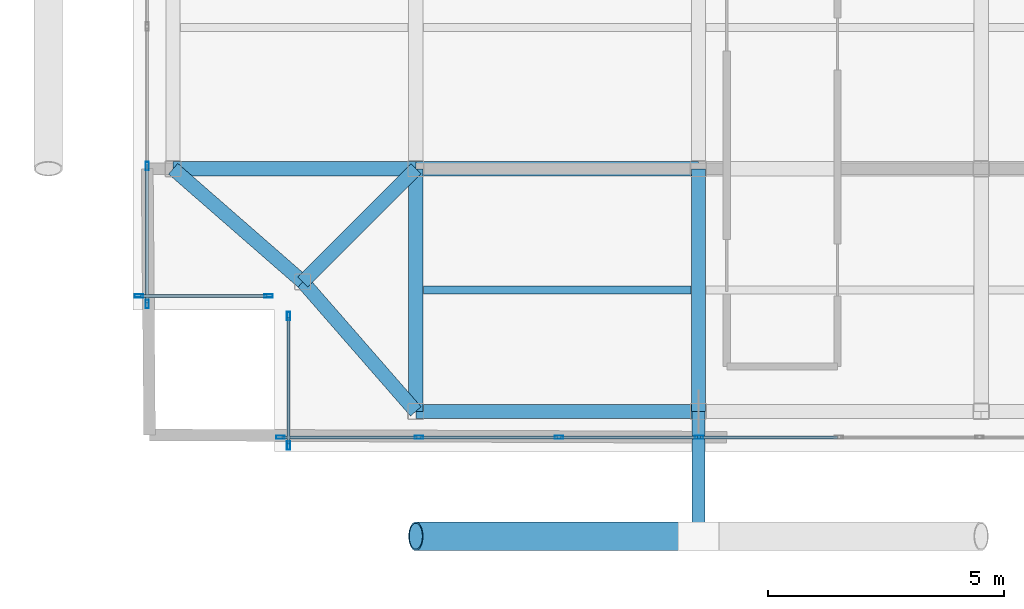
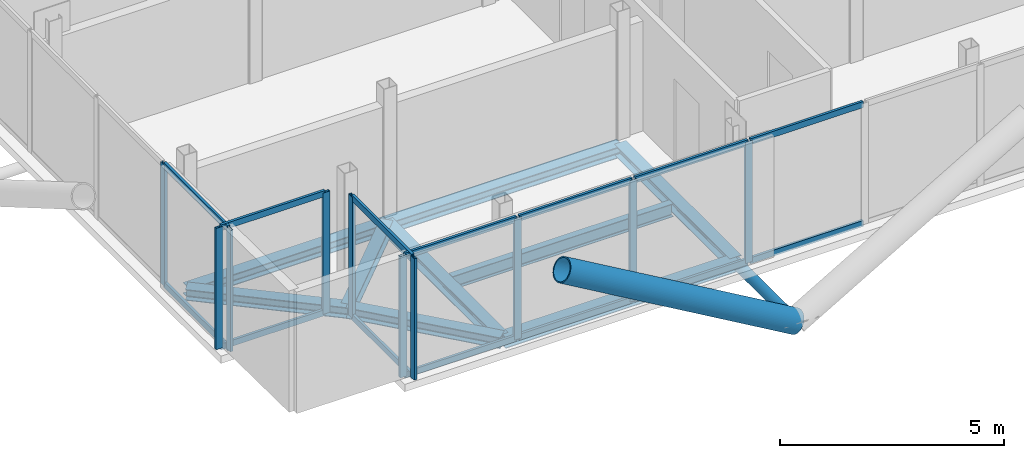
# One storey, part 2 of 18: 26 members, 9 beams, 4 elements without a shape of their own.
"""IFC4 building model written with IfcOpenShell, lengths in metres."""

from ifc_helpers import new_model, si_unit, direction, frame, origin, origin_2d, place, context, subcontext, project, spatial, hollow_rectangle, hollow_circle, i_section, extrude, material, layer, layer_set, material_profile, profile_set, type_object, element, aggregate, save


model = new_model("IFC4")

# Units and contexts
model_context = context("Model", 3, precision=1e-05, world=origin(), true_north=direction((0.0, 1.0)))
body_context = subcontext(model_context, "Body", "Model", "MODEL_VIEW")
ifc_project = project(units=[si_unit("LENGTHUNIT", "METRE"), si_unit("AREAUNIT", "SQUARE_METRE"), si_unit("VOLUMEUNIT", "CUBIC_METRE"), si_unit("PLANEANGLEUNIT", "RADIAN"), si_unit("MASSUNIT", "GRAM", prefix="KILO"), si_unit("THERMODYNAMICTEMPERATUREUNIT", "KELVIN"), si_unit("POWERUNIT", "WATT")], contexts=[model_context])

# Site, building, storey
site_placement = place(None, origin())
site = spatial("IfcSite", under=ifc_project, at=site_placement, CompositionType="ELEMENT")
building_placement = place(site_placement, origin())
building = spatial("IfcBuilding", under=site, at=building_placement, Name="Svarakhadi Broadcast Tower", CompositionType="ELEMENT")
storey_placement = place(building_placement, frame((0.0, 0.0, 288.699951171875)))
storey = spatial("IfcBuildingStorey", under=building, at=storey_placement, Name="L73", CompositionType="ELEMENT", Elevation=288.699951171875)

# Beam
ifc_material_1 = material(Name="Steel S355J2 (IS 2062 E350C)", Category="steel")
ifc_material_profile_1 = material_profile(ifc_material_1, i_section(OverallWidth=0.169921875, OverallDepth=0.360107421875, WebThickness=0.008056640625, FlangeThickness=0.0126953125, FilletRadius=0.01806640625, at=origin_2d()), Name="NPB 360x170x57")
ifc_profile_set_1 = profile_set([ifc_material_profile_1], Name="Steel S355J2 (IS 2062 E350C)")
beam_type_1 = type_object("IfcBeamType", Name="Beam_NPB360", PredefinedType="BEAM", material=ifc_profile_set_1)
beam_1_placement = place(storey_placement, frame((6.159912109375, 3.425048828125, -0.3798828125), z_axis=(1.0, 0.0, 0.0), x_axis=(0.0, 1.0, 0.0)))
element("IfcBeam", 1, at=beam_1_placement, inside=storey, type_object=beam_type_1, Name="L73 Secondary Composite Beam SB004", PredefinedType="BEAM", context=body_context, shape_type="SweptSolid", body=[
    extrude(i_section(OverallWidth=0.169921875, OverallDepth=0.360107421875, WebThickness=0.008056640625, FlangeThickness=0.0126953125, FilletRadius=0.01806640625, at=origin_2d()), origin(), (0.0, 0.0, 1.0), 5.68017578125),
])

# Curtain wall, members
ifc_material_2 = material(Name="Anodised Bronze Aluminium AA 6063-T6", Category="aluminium")
ifc_layer = layer(ifc_material_2, 0.179931640625)
ifc_layer_set = layer_set([ifc_layer], Name="Anodised Bronze Aluminium AA 6063-T6")
curtain_wall_type = type_object("IfcCurtainWallType", Name="CW_Sys_05", PredefinedType="NOTDEFINED", material=ifc_layer_set)
curtain_wall_1_placement = place(storey_placement, origin())
curtain_wall_1 = element("IfcCurtainWall", 2, at=curtain_wall_1_placement, inside=storey, type_object=curtain_wall_type, Name="L73 Unitised Facade Curtain Wall 01", PredefinedType="NOTDEFINED")
ifc_material_profile_2 = material_profile(ifc_material_2, hollow_rectangle(XDim=0.070068359375, YDim=0.179931640625, WallThickness=0.005615234375, at=origin_2d()), Name="ALU MULLION 180x70x6")
ifc_profile_set_2 = profile_set([ifc_material_profile_2], Name="Anodised Bronze Aluminium AA 6063-T6")
member_type_1 = type_object("IfcMemberType", Name="CW_Sys_05_Mul", PredefinedType="MULLION", material=ifc_profile_set_2)
member_1_placement = place(storey_placement, frame((2.875, 3.300048828125, 0.0), z_axis=(0.0, 0.0, 1.0), x_axis=(0.0, -1.0, 0.0)))
member_1 = element("IfcMember", 3, at=member_1_placement, type_object=member_type_1, Name="CW-05 mullion 1", PredefinedType="MULLION", context=body_context, shape_type="SweptSolid", body=[
    extrude(hollow_rectangle(XDim=0.070068359375, YDim=0.179931640625, WallThickness=0.005615234375, at=origin_2d()), origin(), (0.0, 0.0, 1.0), 3.300048828125),
])
member_2_placement = place(storey_placement, frame((0.125, 3.300048828125, 0.0), z_axis=(0.0, 0.0, 1.0), x_axis=(0.0, -1.0, 0.0)))
member_2 = element("IfcMember", 4, at=member_2_placement, type_object=member_type_1, Name="CW-05 mullion 2", PredefinedType="MULLION", context=body_context, shape_type="SweptSolid", body=[
    extrude(hollow_rectangle(XDim=0.070068359375, YDim=0.179931640625, WallThickness=0.005615234375, at=origin_2d()), origin(), (0.0, 0.0, 1.0), 3.300048828125),
])

curtain_wall_2_placement = place(storey_placement, origin())
curtain_wall_2 = element("IfcCurtainWall", 5, at=curtain_wall_2_placement, inside=storey, type_object=curtain_wall_type, Name="L73 West Curtain Wall 02", PredefinedType="NOTDEFINED")
member_3_placement = place(storey_placement, frame((0.300048828125, 3.125, 0.0), z_axis=(0.0, 0.0, 1.0), x_axis=(-1.0, 0.0, 0.0)))
member_3 = element("IfcMember", 6, at=member_3_placement, type_object=member_type_1, Name="CW-05 mullion 1", PredefinedType="MULLION", context=body_context, shape_type="SweptSolid", body=[
    extrude(hollow_rectangle(XDim=0.070068359375, YDim=0.179931640625, WallThickness=0.005615234375, at=origin_2d()), origin(), (0.0, 0.0, 1.0), 3.300048828125),
])
member_4_placement = place(storey_placement, frame((0.300048828125, 6.053955078125, 0.0), z_axis=(0.0, 0.0, 1.0), x_axis=(-1.0, 0.0, 0.0)))
member_4 = element("IfcMember", 7, at=member_4_placement, type_object=member_type_1, Name="CW-05 mullion 2", PredefinedType="MULLION", context=body_context, shape_type="SweptSolid", body=[
    extrude(hollow_rectangle(XDim=0.070068359375, YDim=0.179931640625, WallThickness=0.005615234375, at=origin_2d()), origin(), (0.0, 0.0, 1.0), 3.300048828125),
])

curtain_wall_3_placement = place(storey_placement, origin())
curtain_wall_3 = element("IfcCurtainWall", 8, at=curtain_wall_3_placement, inside=storey, type_object=curtain_wall_type, Name="L73 South Curtain Wall 15", PredefinedType="NOTDEFINED")
member_5_placement = place(storey_placement, frame((12.012939453125, 0.300048828125, 0.0), z_axis=(0.0, 0.0, 1.0), x_axis=(0.0, -1.0, 0.0)))
member_5 = element("IfcMember", 9, at=member_5_placement, type_object=member_type_1, Name="CW-05 mullion 5", PredefinedType="MULLION", context=body_context, shape_type="SweptSolid", body=[
    extrude(hollow_rectangle(XDim=0.070068359375, YDim=0.179931640625, WallThickness=0.005615234375, at=origin_2d()), origin(), (0.0, 0.0, 1.0), 3.300048828125),
])
member_6_placement = place(storey_placement, frame((9.03857421875, 0.300048828125, 0.0), z_axis=(0.0, 0.0, 1.0), x_axis=(0.0, -1.0, 0.0)))
member_6 = element("IfcMember", 10, at=member_6_placement, type_object=member_type_1, Name="CW-05 mullion 6", PredefinedType="MULLION", context=body_context, shape_type="SweptSolid", body=[
    extrude(hollow_rectangle(XDim=0.070068359375, YDim=0.179931640625, WallThickness=0.005615234375, at=origin_2d()), origin(), (0.0, 0.0, 1.0), 3.300048828125),
])
member_7_placement = place(storey_placement, frame((6.064208984375, 0.300048828125, 0.0), z_axis=(0.0, 0.0, 1.0), x_axis=(0.0, -1.0, 0.0)))
member_7 = element("IfcMember", 11, at=member_7_placement, type_object=member_type_1, Name="CW-05 mullion 7", PredefinedType="MULLION", context=body_context, shape_type="SweptSolid", body=[
    extrude(hollow_rectangle(XDim=0.070068359375, YDim=0.179931640625, WallThickness=0.005615234375, at=origin_2d()), origin(), (0.0, 0.0, 1.0), 3.300048828125),
])
member_8_placement = place(storey_placement, frame((3.125, 0.300048828125, 0.0), z_axis=(0.0, 0.0, 1.0), x_axis=(0.0, -1.0, 0.0)))
member_8 = element("IfcMember", 12, at=member_8_placement, type_object=member_type_1, Name="CW-05 mullion 8", PredefinedType="MULLION", context=body_context, shape_type="SweptSolid", body=[
    extrude(hollow_rectangle(XDim=0.070068359375, YDim=0.179931640625, WallThickness=0.005615234375, at=origin_2d()), origin(), (0.0, 0.0, 1.0), 3.300048828125),
])

curtain_wall_4_placement = place(storey_placement, origin())
curtain_wall_4 = element("IfcCurtainWall", 13, at=curtain_wall_4_placement, inside=storey, type_object=curtain_wall_type, Name="L73 Unitised Facade Curtain Wall 16", PredefinedType="NOTDEFINED")
member_9_placement = place(storey_placement, frame((3.300048828125, 0.125, 0.0), z_axis=(0.0, 0.0, 1.0), x_axis=(-1.0, 0.0, 0.0)))
member_9 = element("IfcMember", 14, at=member_9_placement, type_object=member_type_1, Name="CW-05 mullion 1", PredefinedType="MULLION", context=body_context, shape_type="SweptSolid", body=[
    extrude(hollow_rectangle(XDim=0.070068359375, YDim=0.179931640625, WallThickness=0.005615234375, at=origin_2d()), origin(), (0.0, 0.0, 1.0), 3.300048828125),
])
member_10_placement = place(storey_placement, frame((3.300048828125, 2.875, 0.0), z_axis=(0.0, 0.0, 1.0), x_axis=(-1.0, 0.0, 0.0)))
member_10 = element("IfcMember", 15, at=member_10_placement, type_object=member_type_1, Name="CW-05 mullion 2", PredefinedType="MULLION", context=body_context, shape_type="SweptSolid", body=[
    extrude(hollow_rectangle(XDim=0.070068359375, YDim=0.179931640625, WallThickness=0.005615234375, at=origin_2d()), origin(), (0.0, 0.0, 1.0), 3.300048828125),
])

# Member
ifc_material_profile_3 = material_profile(ifc_material_2, hollow_rectangle(XDim=0.06494140625, YDim=0.1650390625, WallThickness=0.0048828125, at=origin_2d()), Name="ALU TRANSOM 165x65x5")
ifc_profile_set_3 = profile_set([ifc_material_profile_3], Name="Anodised Bronze Aluminium AA 6063-T6")
member_type_2 = type_object("IfcMemberType", Name="CW_Sys_05_Trn", PredefinedType="USERDEFINED", material=ifc_profile_set_3)
member_11_placement = place(storey_placement, frame((2.840087890625, 3.300048828125, 0.032470703125), z_axis=(-1.0, 0.0, 0.0), x_axis=(0.0, -1.0, 0.0)))
member_11 = element("IfcMember", 16, at=member_11_placement, type_object=member_type_2, Name="CW-05 transom 1.1", ObjectType="TRANSOM", PredefinedType="USERDEFINED", context=body_context, shape_type="SweptSolid", body=[
    extrude(hollow_rectangle(XDim=0.06494140625, YDim=0.1650390625, WallThickness=0.0048828125, at=origin_2d()), origin(), (0.0, 0.0, 1.0), 2.68017578125),
])

member_12_placement = place(storey_placement, frame((2.840087890625, 3.300048828125, 3.267578125), z_axis=(-1.0, 0.0, 0.0), x_axis=(0.0, -1.0, 0.0)))
member_12 = element("IfcMember", 17, at=member_12_placement, type_object=member_type_2, Name="CW-05 transom 1.2", ObjectType="TRANSOM", PredefinedType="USERDEFINED", context=body_context, shape_type="SweptSolid", body=[
    extrude(hollow_rectangle(XDim=0.06494140625, YDim=0.1650390625, WallThickness=0.0048828125, at=origin_2d()), origin(), (0.0, 0.0, 1.0), 2.68017578125),
])

aggregate(curtain_wall_1, [member_1, member_2, member_11, member_12])

member_13_placement = place(storey_placement, frame((0.300048828125, 3.159912109375, 0.032470703125), z_axis=(0.0, 1.0, 0.0), x_axis=(-1.0, 0.0, 0.0)))
member_13 = element("IfcMember", 18, at=member_13_placement, type_object=member_type_2, Name="CW-05 transom 1.1", ObjectType="TRANSOM", PredefinedType="USERDEFINED", context=body_context, shape_type="SweptSolid", body=[
    extrude(hollow_rectangle(XDim=0.06494140625, YDim=0.1650390625, WallThickness=0.0048828125, at=origin_2d()), origin(), (0.0, 0.0, 1.0), 2.859130859375),
])

member_14_placement = place(storey_placement, frame((0.300048828125, 3.159912109375, 3.267578125), z_axis=(0.0, 1.0, 0.0), x_axis=(-1.0, 0.0, 0.0)))
member_14 = element("IfcMember", 19, at=member_14_placement, type_object=member_type_2, Name="CW-05 transom 1.2", ObjectType="TRANSOM", PredefinedType="USERDEFINED", context=body_context, shape_type="SweptSolid", body=[
    extrude(hollow_rectangle(XDim=0.06494140625, YDim=0.1650390625, WallThickness=0.0048828125, at=origin_2d()), origin(), (0.0, 0.0, 1.0), 2.859130859375),
])

aggregate(curtain_wall_2, [member_3, member_4, member_13, member_14])

member_15_placement = place(storey_placement, frame((14.9521484375, 0.300048828125, 0.032470703125), z_axis=(-1.0, 0.0, 0.0), x_axis=(0.0, -1.0, 0.0)))
member_15 = element("IfcMember", 20, at=member_15_placement, type_object=member_type_2, Name="CW-05 transom 4.1", ObjectType="TRANSOM", PredefinedType="USERDEFINED", context=body_context, shape_type="SweptSolid", body=[
    extrude(hollow_rectangle(XDim=0.06494140625, YDim=0.1650390625, WallThickness=0.0048828125, at=origin_2d()), origin(), (0.0, 0.0, 1.0), 2.904296875),
])

member_16_placement = place(storey_placement, frame((14.9521484375, 0.300048828125, 3.267578125), z_axis=(-1.0, 0.0, 0.0), x_axis=(0.0, -1.0, 0.0)))
member_16 = element("IfcMember", 21, at=member_16_placement, type_object=member_type_2, Name="CW-05 transom 4.2", ObjectType="TRANSOM", PredefinedType="USERDEFINED", context=body_context, shape_type="SweptSolid", body=[
    extrude(hollow_rectangle(XDim=0.06494140625, YDim=0.1650390625, WallThickness=0.0048828125, at=origin_2d()), origin(), (0.0, 0.0, 1.0), 2.904296875),
])

member_17_placement = place(storey_placement, frame((11.977783203125, 0.300048828125, 0.032470703125), z_axis=(-1.0, 0.0, 0.0), x_axis=(0.0, -1.0, 0.0)))
member_17 = element("IfcMember", 22, at=member_17_placement, type_object=member_type_2, Name="CW-05 transom 5.1", ObjectType="TRANSOM", PredefinedType="USERDEFINED", context=body_context, shape_type="SweptSolid", body=[
    extrude(hollow_rectangle(XDim=0.06494140625, YDim=0.1650390625, WallThickness=0.0048828125, at=origin_2d()), origin(), (0.0, 0.0, 1.0), 2.904296875),
])

member_18_placement = place(storey_placement, frame((11.977783203125, 0.300048828125, 3.267578125), z_axis=(-1.0, 0.0, 0.0), x_axis=(0.0, -1.0, 0.0)))
member_18 = element("IfcMember", 23, at=member_18_placement, type_object=member_type_2, Name="CW-05 transom 5.2", ObjectType="TRANSOM", PredefinedType="USERDEFINED", context=body_context, shape_type="SweptSolid", body=[
    extrude(hollow_rectangle(XDim=0.06494140625, YDim=0.1650390625, WallThickness=0.0048828125, at=origin_2d()), origin(), (0.0, 0.0, 1.0), 2.904296875),
])

member_19_placement = place(storey_placement, frame((9.003662109375, 0.300048828125, 0.032470703125), z_axis=(-1.0, 0.0, 0.0), x_axis=(0.0, -1.0, 0.0)))
member_19 = element("IfcMember", 24, at=member_19_placement, type_object=member_type_2, Name="CW-05 transom 6.1", ObjectType="TRANSOM", PredefinedType="USERDEFINED", context=body_context, shape_type="SweptSolid", body=[
    extrude(hollow_rectangle(XDim=0.06494140625, YDim=0.1650390625, WallThickness=0.0048828125, at=origin_2d()), origin(), (0.0, 0.0, 1.0), 2.904296875),
])

member_20_placement = place(storey_placement, frame((9.003662109375, 0.300048828125, 3.267578125), z_axis=(-1.0, 0.0, 0.0), x_axis=(0.0, -1.0, 0.0)))
member_20 = element("IfcMember", 25, at=member_20_placement, type_object=member_type_2, Name="CW-05 transom 6.2", ObjectType="TRANSOM", PredefinedType="USERDEFINED", context=body_context, shape_type="SweptSolid", body=[
    extrude(hollow_rectangle(XDim=0.06494140625, YDim=0.1650390625, WallThickness=0.0048828125, at=origin_2d()), origin(), (0.0, 0.0, 1.0), 2.904296875),
])

member_21_placement = place(storey_placement, frame((6.029296875, 0.300048828125, 0.032470703125), z_axis=(-1.0, 0.0, 0.0), x_axis=(0.0, -1.0, 0.0)))
member_21 = element("IfcMember", 26, at=member_21_placement, type_object=member_type_2, Name="CW-05 transom 7.1", ObjectType="TRANSOM", PredefinedType="USERDEFINED", context=body_context, shape_type="SweptSolid", body=[
    extrude(hollow_rectangle(XDim=0.06494140625, YDim=0.1650390625, WallThickness=0.0048828125, at=origin_2d()), origin(), (0.0, 0.0, 1.0), 2.869384765625),
])

member_22_placement = place(storey_placement, frame((6.029296875, 0.300048828125, 3.267578125), z_axis=(-1.0, 0.0, 0.0), x_axis=(0.0, -1.0, 0.0)))
member_22 = element("IfcMember", 27, at=member_22_placement, type_object=member_type_2, Name="CW-05 transom 7.2", ObjectType="TRANSOM", PredefinedType="USERDEFINED", context=body_context, shape_type="SweptSolid", body=[
    extrude(hollow_rectangle(XDim=0.06494140625, YDim=0.1650390625, WallThickness=0.0048828125, at=origin_2d()), origin(), (0.0, 0.0, 1.0), 2.869384765625),
])

aggregate(curtain_wall_3, [member_5, member_6, member_7, member_8, member_15, member_16, member_17, member_18, member_19, member_20, member_21, member_22])

member_23_placement = place(storey_placement, frame((3.300048828125, 0.159912109375, 0.032470703125), z_axis=(0.0, 1.0, 0.0), x_axis=(-1.0, 0.0, 0.0)))
member_23 = element("IfcMember", 28, at=member_23_placement, type_object=member_type_2, Name="CW-05 transom 1.1", ObjectType="TRANSOM", PredefinedType="USERDEFINED", context=body_context, shape_type="SweptSolid", body=[
    extrude(hollow_rectangle(XDim=0.06494140625, YDim=0.1650390625, WallThickness=0.0048828125, at=origin_2d()), origin(), (0.0, 0.0, 1.0), 2.68017578125),
])

member_24_placement = place(storey_placement, frame((3.300048828125, 0.159912109375, 3.267578125), z_axis=(0.0, 1.0, 0.0), x_axis=(-1.0, 0.0, 0.0)))
member_24 = element("IfcMember", 29, at=member_24_placement, type_object=member_type_2, Name="CW-05 transom 1.2", ObjectType="TRANSOM", PredefinedType="USERDEFINED", context=body_context, shape_type="SweptSolid", body=[
    extrude(hollow_rectangle(XDim=0.06494140625, YDim=0.1650390625, WallThickness=0.0048828125, at=origin_2d()), origin(), (0.0, 0.0, 1.0), 2.68017578125),
])

aggregate(curtain_wall_4, [member_9, member_10, member_23, member_24])

# Members
ifc_material_3 = material(Name="Steel S460ML (IS 2062 E450BR)", Category="steel")
ifc_material_profile_4 = material_profile(ifc_material_3, hollow_circle(Radius=0.304931640625, WallThickness=0.030029296875, at=origin_2d()), Name="CHS 610x30")
ifc_profile_set_4 = profile_set([ifc_material_profile_4], Name="Steel S460ML (IS 2062 E450BR)")
member_type_3 = type_object("IfcMemberType", Name="Exo_Brace_CHS610", PredefinedType="BRACE", material=ifc_profile_set_4)
member_25_placement = place(storey_placement, frame((12.0, -1.800048828125, -0.33642578125), z_axis=(-0.863778900898, 0.0, 0.503871025524), x_axis=(0.0, -1.0, 0.0)))
element("IfcMember", 30, at=member_25_placement, inside=storey, type_object=member_type_3, Name="L73 Exposed Bronze Exoskeleton Diagonal S01", PredefinedType="BRACE", context=body_context, shape_type="SweptSolid", body=[
    extrude(hollow_circle(Radius=0.304931640625, WallThickness=0.030029296875, at=origin_2d()), origin(), (0.0, 0.0, 1.0), 6.9462890625),
])
ifc_material_profile_5 = material_profile(ifc_material_3, hollow_circle(Radius=0.136474609375, WallThickness=0.012451171875, at=origin_2d()), Name="CHS 273x12.5")
ifc_profile_set_5 = profile_set([ifc_material_profile_5], Name="Steel S460ML (IS 2062 E450BR)")
member_type_4 = type_object("IfcMemberType", Name="Exo_Radial_Strut_Z3", PredefinedType="STRUT", material=ifc_profile_set_5)
member_26_placement = place(storey_placement, frame((12.0, -1.800048828125, -0.33642578125), z_axis=(0.0, 1.0, 0.0), x_axis=(-1.0, 0.0, 0.0)))
element("IfcMember", 31, at=member_26_placement, inside=storey, type_object=member_type_4, Name="L73 Exoskeleton Radial Tie Strut S01", PredefinedType="STRUT", context=body_context, shape_type="SweptSolid", body=[
    extrude(hollow_circle(Radius=0.136474609375, WallThickness=0.012451171875, at=origin_2d()), origin(), (0.0, 0.0, 1.0), 2.650146484375),
])

# Beams
ifc_material_profile_6 = material_profile(ifc_material_1, i_section(OverallWidth=0.300048828125, OverallDepth=0.300048828125, WebThickness=0.010986328125, FlangeThickness=0.01904296875, FilletRadius=0.027099609375, at=origin_2d()), Name="WPB 300x300x117")
ifc_profile_set_6 = profile_set([ifc_material_profile_6], Name="Steel S355J2 (IS 2062 E350C)")
beam_type_2 = type_object("IfcBeamType", Name="Girder_WPB300", PredefinedType="USERDEFINED", material=ifc_profile_set_6)
beam_2_placement = place(storey_placement, frame((3.60009765625, 3.60009765625, -0.349853515625), z_axis=(0.707106781187, 0.707106781187, 0.0), x_axis=(-0.707106781187, 0.707106781187, 0.0)))
element("IfcBeam", 32, at=beam_2_placement, inside=storey, type_object=beam_type_2, Name="L73 Corner Tie Girder G001", ObjectType="GIRDER", PredefinedType="USERDEFINED", context=body_context, shape_type="SweptSolid", body=[
    extrude(i_section(OverallWidth=0.300048828125, OverallDepth=0.300048828125, WebThickness=0.010986328125, FlangeThickness=0.01904296875, FilletRadius=0.027099609375, at=origin_2d()), origin(), (0.0, 0.0, 1.0), 3.39404296875),
])
for number, where, z_axis, x_axis, name in (
    (33, (3.60009765625, 3.60009765625, -0.349853515625), (-0.753437912176, 0.657519058655, 0.0), (-0.657519058655, -0.753437912176, 0.0), "L73 Corner Tie Girder G002"),
    (34, (3.60009765625, 3.60009765625, -0.349853515625), (0.657519058655, -0.753437912176, 0.0), (0.753437912176, 0.657519058655, 0.0), "L73 Corner Tie Girder G003"),
):
    element("IfcBeam", number, at=place(storey_placement, frame(where, z_axis=z_axis, x_axis=x_axis)), inside=storey, type_object=beam_type_2, Name=name, ObjectType="GIRDER", PredefinedType="USERDEFINED", context=body_context, shape_type="SweptSolid", body=[
        extrude(i_section(OverallWidth=0.300048828125, OverallDepth=0.300048828125, WebThickness=0.010986328125, FlangeThickness=0.01904296875, FilletRadius=0.027099609375, at=origin_2d()), origin(), (0.0, 0.0, 1.0), 3.64990234375),
    ])
beam_3_placement = place(storey_placement, frame((6.0, 0.85009765625, -0.349853515625), z_axis=(1.0, 0.0, 0.0), x_axis=(0.0, 1.0, 0.0)))
element("IfcBeam", 35, at=beam_3_placement, inside=storey, type_object=beam_type_2, Name="L73 Primary E-W Girder G004", ObjectType="GIRDER", PredefinedType="USERDEFINED", context=body_context, shape_type="SweptSolid", body=[
    extrude(i_section(OverallWidth=0.300048828125, OverallDepth=0.300048828125, WebThickness=0.010986328125, FlangeThickness=0.01904296875, FilletRadius=0.027099609375, at=origin_2d()), origin(), (0.0, 0.0, 1.0), 6.0),
])
beam_4_placement = place(storey_placement, frame((0.85009765625, 6.0, -0.349853515625), z_axis=(1.0, 0.0, 0.0), x_axis=(0.0, 1.0, 0.0)))
element("IfcBeam", 36, at=beam_4_placement, inside=storey, type_object=beam_type_2, Name="L73 Primary E-W Girder G008", ObjectType="GIRDER", PredefinedType="USERDEFINED", context=body_context, shape_type="SweptSolid", body=[
    extrude(i_section(OverallWidth=0.300048828125, OverallDepth=0.300048828125, WebThickness=0.010986328125, FlangeThickness=0.01904296875, FilletRadius=0.027099609375, at=origin_2d()), origin(), (0.0, 0.0, 1.0), 5.14990234375),
])
beam_5_placement = place(storey_placement, frame((6.0, 6.0, -0.349853515625), z_axis=(1.0, 0.0, 0.0), x_axis=(0.0, 1.0, 0.0)))
element("IfcBeam", 37, at=beam_5_placement, inside=storey, type_object=beam_type_2, Name="L73 Primary E-W Girder G009", ObjectType="GIRDER", PredefinedType="USERDEFINED", context=body_context, shape_type="SweptSolid", body=[
    extrude(i_section(OverallWidth=0.300048828125, OverallDepth=0.300048828125, WebThickness=0.010986328125, FlangeThickness=0.01904296875, FilletRadius=0.027099609375, at=origin_2d()), origin(), (0.0, 0.0, 1.0), 6.0),
])
for number, where, z_axis, x_axis, name in (
    (38, (6.0, 0.85009765625, -0.349853515625), (0.0, 1.0, 0.0), (-1.0, 0.0, 0.0), "L73 Primary N-S Girder G029"),
    (39, (12.0, 0.85009765625, -0.349853515625), (0.0, 1.0, 0.0), (-1.0, 0.0, 0.0), "L73 Primary N-S Girder G033"),
):
    element("IfcBeam", number, at=place(storey_placement, frame(where, z_axis=z_axis, x_axis=x_axis)), inside=storey, type_object=beam_type_2, Name=name, ObjectType="GIRDER", PredefinedType="USERDEFINED", context=body_context, shape_type="SweptSolid", body=[
        extrude(i_section(OverallWidth=0.300048828125, OverallDepth=0.300048828125, WebThickness=0.010986328125, FlangeThickness=0.01904296875, FilletRadius=0.027099609375, at=origin_2d()), origin(), (0.0, 0.0, 1.0), 5.14990234375),
    ])

save(model, "model.ifc")
